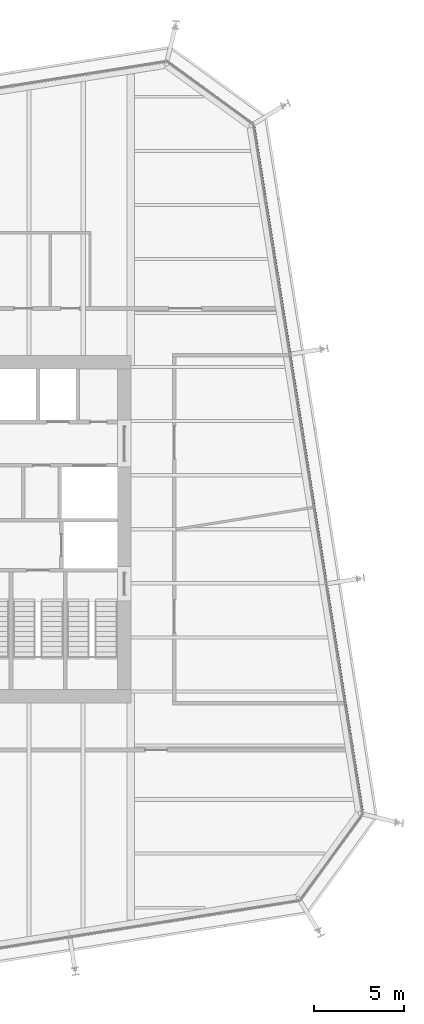
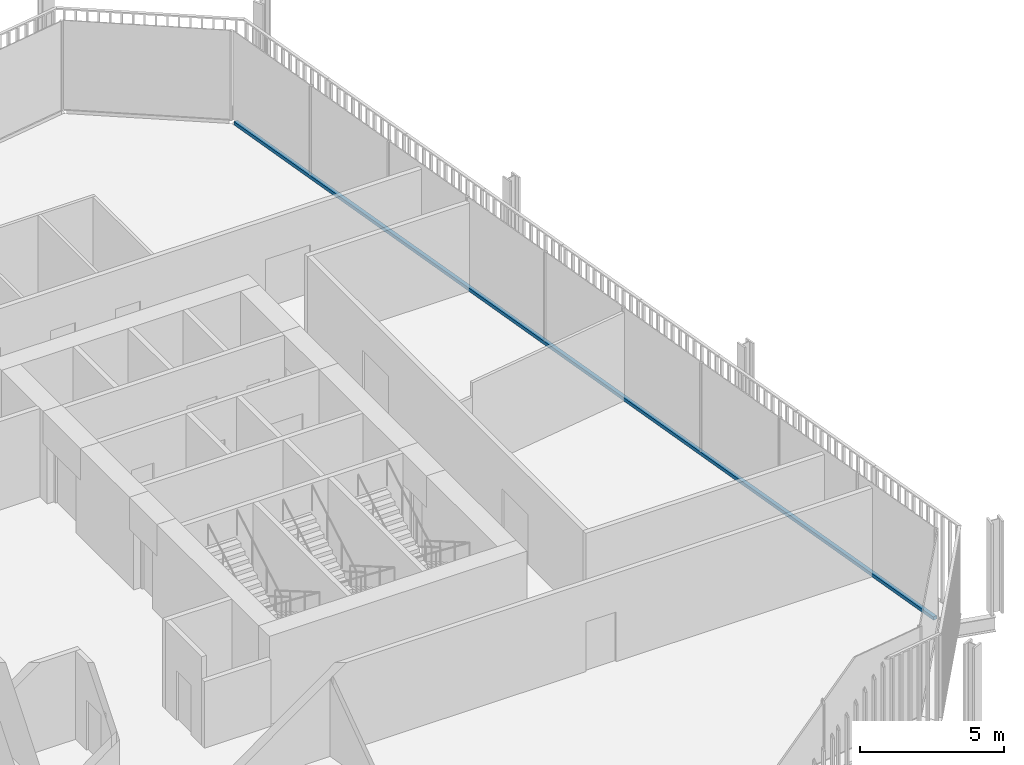
# One storey, part 14 of 21: 1 member, 1 element without a shape of its own.
"""IFC4 building model written with IfcOpenShell, lengths in metres."""

from ifc_helpers import new_model, si_unit, direction, frame, origin, origin_2d, place, context, subcontext, project, spatial, rectangle, extrude, material, layer, layer_set, material_profile, profile_set, type_object, element, aggregate, save


model = new_model("IFC4")

# Units and contexts
model_context = context("Model", 3, precision=1e-05, world=origin(), true_north=direction((0.0, 1.0)))
body_context = subcontext(model_context, "Body", "Model", "MODEL_VIEW")
ifc_project = project(units=[si_unit("LENGTHUNIT", "METRE"), si_unit("AREAUNIT", "SQUARE_METRE"), si_unit("VOLUMEUNIT", "CUBIC_METRE"), si_unit("PLANEANGLEUNIT", "RADIAN"), si_unit("MASSUNIT", "GRAM", prefix="KILO")], contexts=[model_context])

# Site, building, storey
site_placement = place(None, origin())
site = spatial("IfcSite", under=ifc_project, at=site_placement, CompositionType="ELEMENT")
building_placement = place(site_placement, origin())
building = spatial("IfcBuilding", under=site, at=building_placement, Name="Millrace Tower", CompositionType="ELEMENT")
storey_placement = place(building_placement, frame((0.0, 0.0, 183.89990234375)))
storey = spatial("IfcBuildingStorey", under=building, at=storey_placement, Name="L41", CompositionType="ELEMENT", Elevation=183.89990234375)

# Curtain wall, member
ifc_material_1 = material(Name="Aluminium and glass", Category="aluminium")
ifc_layer = layer(ifc_material_1, 0.14990234375)
ifc_layer_set = layer_set([ifc_layer], Name="Aluminium and glass")
curtain_wall_type = type_object("IfcCurtainWallType", Name="CW-1 office vision curtain wall", PredefinedType="NOTDEFINED", material=ifc_layer_set)
curtain_wall_placement = place(storey_placement, origin())
curtain_wall = element("IfcCurtainWall", 1, at=curtain_wall_placement, inside=storey, type_object=curtain_wall_type, Name="Curtain wall C-F04 L41", PredefinedType="NOTDEFINED")
ifc_material_2 = material(Name="Aluminium", Category="aluminium")
ifc_material_profile = material_profile(ifc_material_2, rectangle(XDim=0.14990234375, YDim=0.139892578125, at=origin_2d()))
ifc_profile_set = profile_set([ifc_material_profile], Name="Aluminium")
member_type = type_object("IfcMemberType", Name="CW-1 office vision curtain wall transom", PredefinedType="USERDEFINED", material=ifc_profile_set)
member_placement = place(storey_placement, frame((27.49609375, -15.675048828125, 0.070068359375), z_axis=(-0.156434402447, 0.987688350509, 0.0), x_axis=(-0.987688350509, -0.156434402447, 0.0)))
member = element("IfcMember", 2, at=member_placement, type_object=member_type, Name="CW1 transom C-F04.1", ObjectType="TRANSOM", PredefinedType="USERDEFINED", context=body_context, shape_type="SweptSolid", body=[
    extrude(rectangle(XDim=0.14990234375, YDim=0.139892578125, at=origin_2d()), origin(), (0.0, 0.0, 1.0), 38.499755859375),
])
aggregate(curtain_wall, [member])

save(model, "model.ifc")
